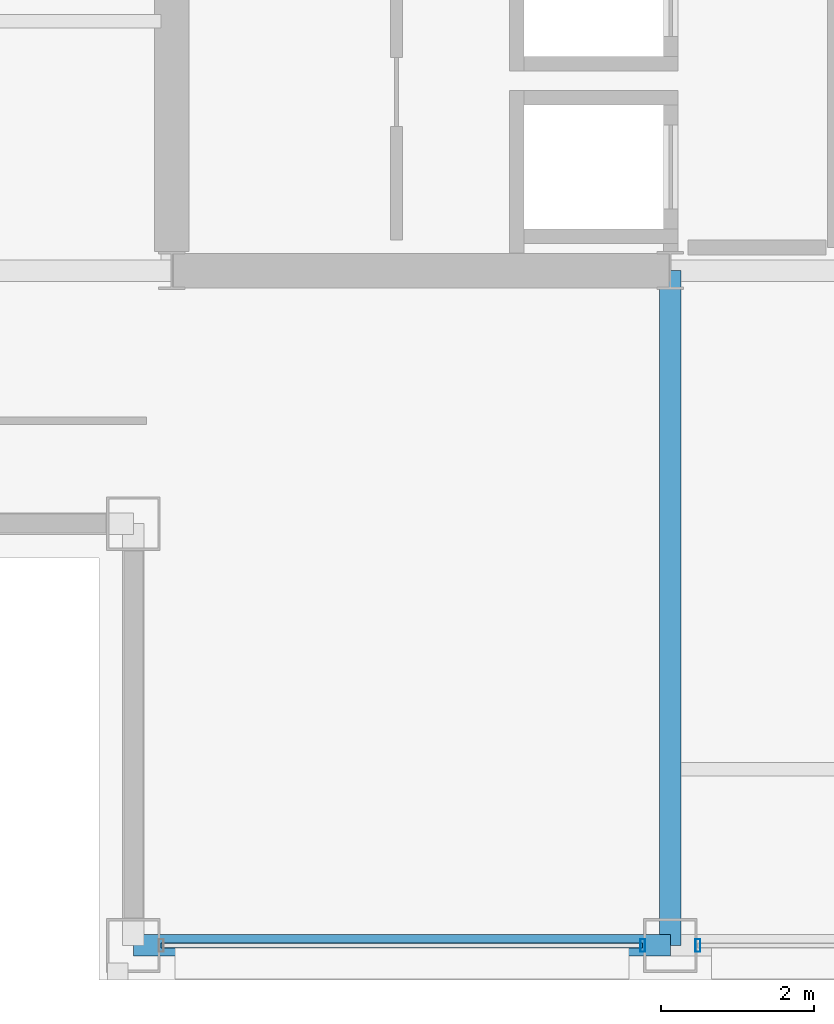
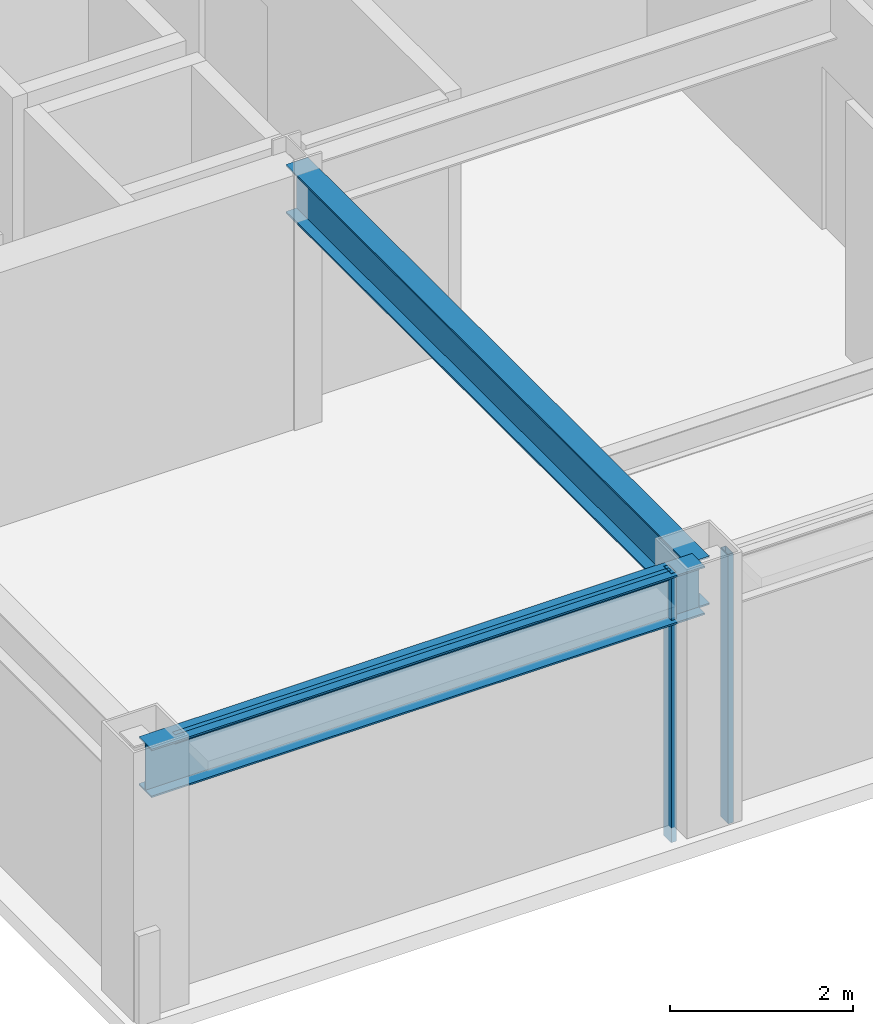
# One storey, part 3 of 29: 3 members, 2 beams, 2 elements without a shape of their own.
"""IFC4 building model written with IfcOpenShell, lengths in metres."""

from ifc_helpers import new_model, si_unit, direction, frame, origin, origin_2d, place, context, subcontext, project, spatial, hollow_rectangle, i_section, extrude, material, layer, layer_set, material_profile, profile_set, type_object, element, aggregate, save


model = new_model("IFC4")

# Units and contexts
model_context = context("Model", 3, precision=1e-05, world=origin(), true_north=direction((0.0, 1.0)))
body_context = subcontext(model_context, "Body", "Model", "MODEL_VIEW")
ifc_project = project(units=[si_unit("LENGTHUNIT", "METRE"), si_unit("AREAUNIT", "SQUARE_METRE"), si_unit("VOLUMEUNIT", "CUBIC_METRE"), si_unit("PLANEANGLEUNIT", "RADIAN"), si_unit("MASSUNIT", "GRAM", prefix="KILO")], contexts=[model_context])

# Site, building, storey
site_placement = place(None, origin())
site = spatial("IfcSite", under=ifc_project, at=site_placement, CompositionType="ELEMENT")
building_placement = place(site_placement, origin())
building = spatial("IfcBuilding", under=site, at=building_placement, Name="Brelmoor Portico Tower", CompositionType="ELEMENT")
storey_placement = place(building_placement, frame((0.0, 0.0, 201.89990234375)))
storey = spatial("IfcBuildingStorey", under=building, at=storey_placement, Name="L53", CompositionType="ELEMENT", Elevation=201.89990234375)

# Beams
ifc_material_1 = material(Name="Steel Q355B", Category="steel")
ifc_material_profile_1 = material_profile(ifc_material_1, i_section(OverallWidth=0.280029296875, OverallDepth=0.64990234375, WebThickness=0.012939453125, FlangeThickness=0.02197265625, at=origin_2d()), Name="HN 650x280x13x22")
ifc_profile_set_1 = profile_set([ifc_material_profile_1], Name="Steel Q355B")
beam_type_1 = type_object("IfcBeamType", Name="BM-PG-650", PredefinedType="BEAM", material=ifc_profile_set_1)
beam_1_placement = place(storey_placement, frame((-8.050048828125, -18.550048828125, 3.0751953125), z_axis=(0.0, 1.0, 0.0), x_axis=(-1.0, 0.0, 0.0)))
element("IfcBeam", 1, at=beam_1_placement, inside=storey, type_object=beam_type_1, Name="L53 Primary Floor Girder PG-03", PredefinedType="BEAM", context=body_context, shape_type="SweptSolid", body=[
    extrude(i_section(OverallWidth=0.280029296875, OverallDepth=0.64990234375, WebThickness=0.012939453125, FlangeThickness=0.02197265625, at=origin_2d()), origin(), (0.0, 0.0, 1.0), 8.800048828125),
])
ifc_material_profile_2 = material_profile(ifc_material_1, i_section(OverallWidth=0.280029296875, OverallDepth=0.64990234375, WebThickness=0.012939453125, FlangeThickness=0.02197265625, at=origin_2d()), Name="HN 650x280x13x22")
ifc_profile_set_2 = profile_set([ifc_material_profile_2], Name="Steel Q355B")
beam_type_2 = type_object("IfcBeamType", Name="BM-SP-650", PredefinedType="SPANDREL", material=ifc_profile_set_2)
beam_2_placement = place(storey_placement, frame((-15.050048828125, -18.550048828125, 3.0751953125), z_axis=(1.0, 0.0, 0.0), x_axis=(0.0, 1.0, 0.0)))
element("IfcBeam", 2, at=beam_2_placement, inside=storey, type_object=beam_type_2, Name="L53 Perimeter Spandrel Beam SP-01", PredefinedType="SPANDREL", context=body_context, shape_type="SweptSolid", body=[
    extrude(i_section(OverallWidth=0.280029296875, OverallDepth=0.64990234375, WebThickness=0.012939453125, FlangeThickness=0.02197265625, at=origin_2d()), origin(), (0.0, 0.0, 1.0), 7.0),
])

# Curtain wall, member
ifc_material_2 = material(Name="Anodised Aluminium Alloy 6063-T6", Category="aluminium")
ifc_layer = layer(ifc_material_2, 0.179931640625)
ifc_layer_set = layer_set([ifc_layer], Name="Anodised Aluminium Alloy 6063-T6")
curtain_wall_type = type_object("IfcCurtainWallType", Name="CW-TOWER-Z3-XB", PredefinedType="NOTDEFINED", material=ifc_layer_set)
curtain_wall_1_placement = place(storey_placement, origin())
curtain_wall_1 = element("IfcCurtainWall", 3, at=curtain_wall_1_placement, inside=storey, type_object=curtain_wall_type, Name="L53 Curtain Wall CW-L53-01-1", PredefinedType="NOTDEFINED")
ifc_material_profile_3 = material_profile(ifc_material_2, hollow_rectangle(XDim=0.06494140625, YDim=0.1650390625, WallThickness=0.00390625, at=origin_2d()), Name="ALU MULLION 65x165")
ifc_profile_set_3 = profile_set([ifc_material_profile_3], Name="Anodised Aluminium Alloy 6063-T6")
member_type_1 = type_object("IfcMemberType", Name="MB-CW-MULL-165", PredefinedType="MULLION", material=ifc_profile_set_3)
member_1_placement = place(storey_placement, frame((-8.409912109375, -18.550048828125, -0.199951171875), z_axis=(0.0, 0.0, 1.0), x_axis=(1.0, 0.0, 0.0)))
member_1 = element("IfcMember", 4, at=member_1_placement, type_object=member_type_1, Name="CW-L53-01-1 Mullion 01", PredefinedType="MULLION", context=body_context, shape_type="SweptSolid", body=[
    extrude(hollow_rectangle(XDim=0.06494140625, YDim=0.1650390625, WallThickness=0.00390625, at=origin_2d()), origin(), (0.0, 0.0, 1.0), 3.60009765625),
])

curtain_wall_2_placement = place(storey_placement, origin())
curtain_wall_2 = element("IfcCurtainWall", 5, at=curtain_wall_2_placement, inside=storey, type_object=curtain_wall_type, Name="L53 Curtain Wall CW-L53-01-2", PredefinedType="NOTDEFINED")
member_2_placement = place(storey_placement, frame((-7.68994140625, -18.550048828125, -0.199951171875), z_axis=(0.0, 0.0, 1.0), x_axis=(1.0, 0.0, 0.0)))
member_2 = element("IfcMember", 6, at=member_2_placement, type_object=member_type_1, Name="CW-L53-01-2 Mullion 00", PredefinedType="MULLION", context=body_context, shape_type="SweptSolid", body=[
    extrude(hollow_rectangle(XDim=0.06494140625, YDim=0.1650390625, WallThickness=0.00390625, at=origin_2d()), origin(), (0.0, 0.0, 1.0), 3.60009765625),
])
aggregate(curtain_wall_2, [member_2])

# Member
ifc_material_profile_4 = material_profile(ifc_material_2, hollow_rectangle(XDim=0.06005859375, YDim=0.125, WallThickness=0.00341796875, at=origin_2d()), Name="ALU TRANSOM 60x125")
ifc_profile_set_4 = profile_set([ifc_material_profile_4], Name="Anodised Aluminium Alloy 6063-T6")
member_type_2 = type_object("IfcMemberType", Name="MB-CW-TRAN-125", PredefinedType="USERDEFINED", material=ifc_profile_set_4)
member_3_placement = place(storey_placement, frame((-14.68994140625, -18.550048828125, 3.337646484375), z_axis=(1.0, 0.0, 0.0), x_axis=(0.0, 1.0, 0.0)))
member_3 = element("IfcMember", 7, at=member_3_placement, type_object=member_type_2, Name="CW-L53-01-1 Transom 1-00", ObjectType="TRANSOM", PredefinedType="USERDEFINED", context=body_context, shape_type="SweptSolid", body=[
    extrude(hollow_rectangle(XDim=0.06005859375, YDim=0.125, WallThickness=0.00341796875, at=origin_2d()), origin(), (0.0, 0.0, 1.0), 6.280029296875),
])

aggregate(curtain_wall_1, [member_1, member_3])

save(model, "model.ifc")
